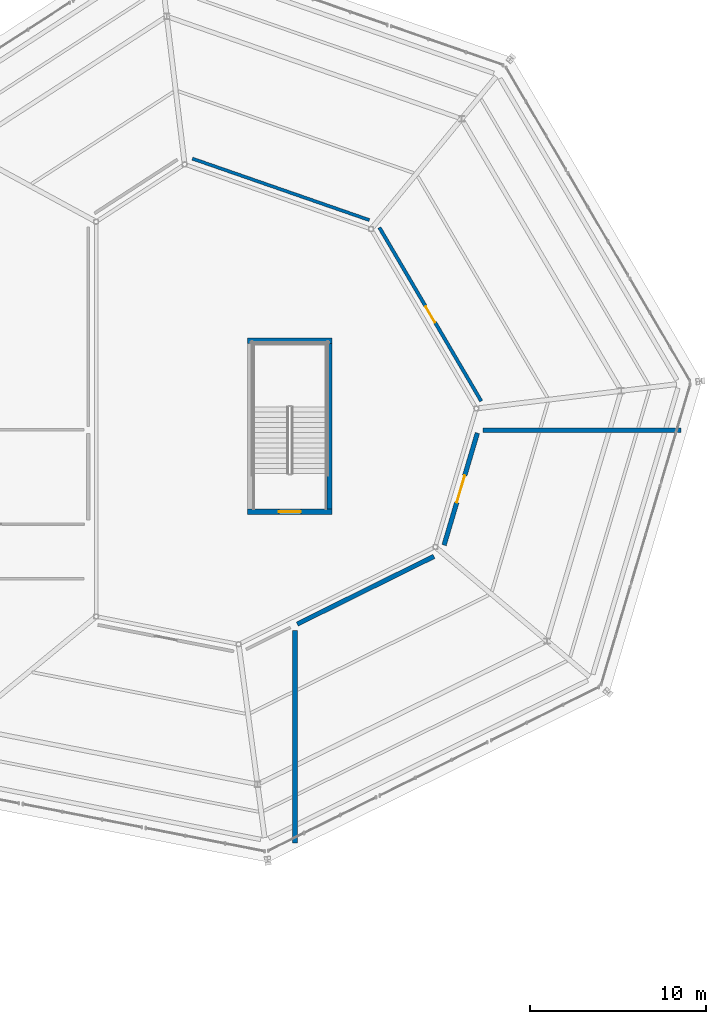
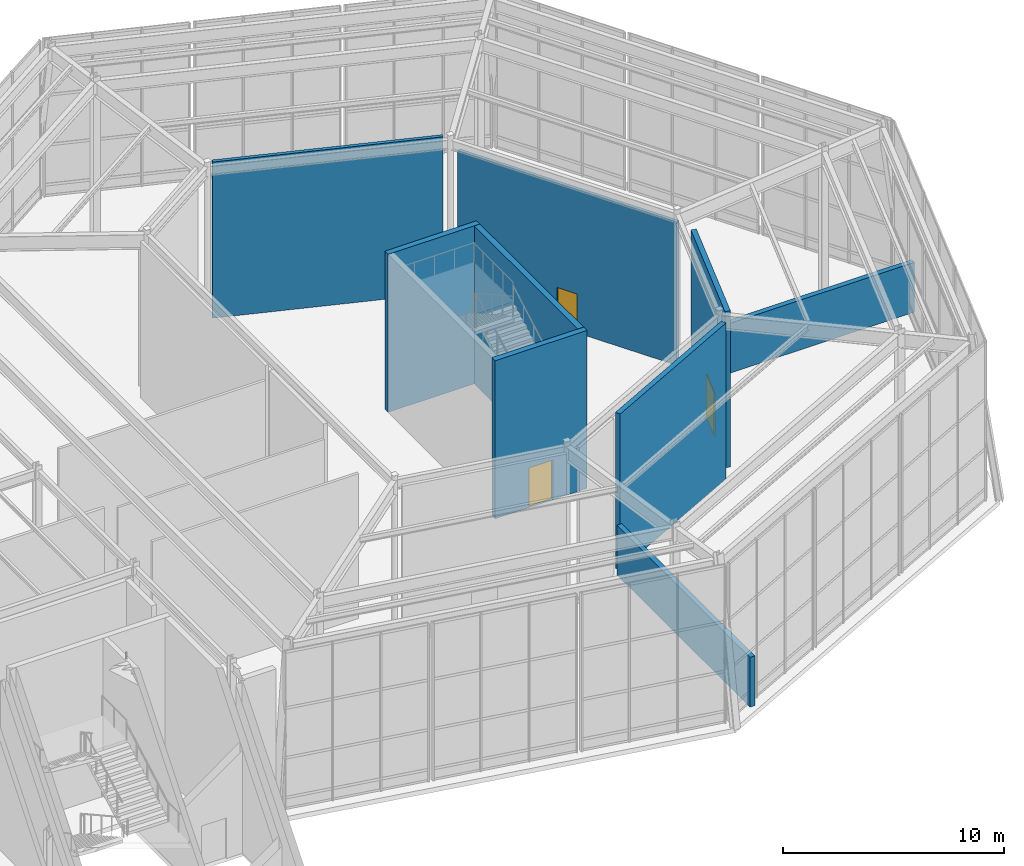
# One storey, part 40 of 48: 9 walls, 3 doors, 3 openings.
"""IFC4 building model written with IfcOpenShell, lengths in metres."""

from ifc_helpers import new_model, si_unit, direction, frame, frame_2d, origin, place, context, subcontext, project, spatial, rectangle, extrude, material, layer, layer_set, type_object, element, fill, save


model = new_model("IFC4")

# Units and contexts
model_context = context("Model", 3, precision=1e-05, world=origin(), true_north=direction((0.0, 1.0)))
body_context = subcontext(model_context, "Body", "Model", "MODEL_VIEW")
ifc_project = project(units=[si_unit("LENGTHUNIT", "METRE"), si_unit("AREAUNIT", "SQUARE_METRE"), si_unit("VOLUMEUNIT", "CUBIC_METRE"), si_unit("PLANEANGLEUNIT", "RADIAN"), si_unit("MASSUNIT", "GRAM", prefix="KILO")], contexts=[model_context])

# Site, building, storey
site_placement = place(None, origin())
site = spatial("IfcSite", under=ifc_project, at=site_placement, CompositionType="ELEMENT")
building_placement = place(site_placement, origin())
building = spatial("IfcBuilding", under=site, at=building_placement, Name="Sarnbrook Museum", CompositionType="ELEMENT")
storey_placement = place(building_placement, frame((0.0, 0.0, 19.10009765625)))
storey = spatial("IfcBuildingStorey", under=building, at=storey_placement, Name="L04", CompositionType="ELEMENT", Elevation=19.10009765625)

# Wall, opening, door
ifc_material_1 = material(Name="Concrete N50 (AS 3600, f'c = 50 MPa)", Category="concrete")
ifc_layer_1 = layer(ifc_material_1, 0.300048828125)
ifc_layer_set_1 = layer_set([ifc_layer_1], Name="Concrete N50 (AS 3600, f'c = 50 MPa)")
wall_type_1 = type_object("IfcWallType", Name="CoreWall_CWRC", PredefinedType="SHEAR", material=ifc_layer_set_1)
wall_1_placement = place(storey_placement, frame((141.39990234375, 80.35009765625, 0.0), z_axis=(0.0, 0.0, 1.0), x_axis=(1.0, 0.0, 0.0)))
wall_1 = element("IfcWall", 1, at=wall_1_placement, inside=storey, type_object=wall_type_1, Name="Core C7 Shear Wall S L04", PredefinedType="SHEAR", context=body_context, shape_type="SweptSolid", body=[
    extrude(rectangle(XDim=4.800048828125, YDim=0.300048828125, at=frame_2d((2.39990234375, 0.0))), origin(), (0.0, 0.0, 1.0), 8.73486328125),
])
opening_1_placement = place(wall_1_placement, frame((1.77490234375, 0.0, 0.0)))
opening_1 = element("IfcOpeningElement", 2, at=opening_1_placement, cuts=wall_1, Name="Opening D-ST-ST7-L04", PredefinedType="OPENING", context=body_context, shape_type="SweptSolid", body=[
    extrude(rectangle(XDim=1.25, YDim=2.199951171875, at=frame_2d((0.625, 1.10009765625))), frame((0.0, 0.16015625, 0.0), z_axis=(0.0, -1.0, 0.0), x_axis=(1.0, 0.0, 0.0)), (0.0, 0.0, 1.0), 0.320068359375),
])
ifc_material_2 = material(Name="Tasmanian Oak Acoustic Timber", Category="wood")
door_type_1 = type_object("IfcDoorType", Name="FireDoor_FD120", OperationType="NOTDEFINED", PredefinedType="DOOR", material=ifc_material_2)
door_1_placement = place(opening_1_placement, origin())
door_1 = element("IfcDoor", 3, at=door_1_placement, inside=storey, type_object=door_type_1, Name="Exit Stair ST7 Fire Door L04", OperationType="SINGLE_SWING_RIGHT", OverallHeight=2.199951171875, OverallWidth=1.25, PredefinedType="DOOR", context=body_context, shape_type="SweptSolid", body=[
    extrude(rectangle(XDim=1.25, YDim=2.199951171875, at=frame_2d((0.625, 1.10009765625))), frame((0.0, 0.02490234375, 0.0), z_axis=(0.0, -1.0, 0.0), x_axis=(1.0, 0.0, 0.0)), (0.0, 0.0, 1.0), 0.050048828125),
])
fill(opening_1, door_1)

# Walls
wall_2_placement = place(storey_placement, frame((146.199951171875, 90.050048828125, 0.0), z_axis=(0.0, 0.0, 1.0), x_axis=(-1.0, 0.0, 0.0)))
element("IfcWall", 4, at=wall_2_placement, inside=storey, type_object=wall_type_1, Name="Core C7 Shear Wall N L04", PredefinedType="SHEAR", context=body_context, shape_type="SweptSolid", body=[
    extrude(rectangle(XDim=4.800048828125, YDim=0.300048828125, at=frame_2d((2.39990234375, 0.0))), origin(), (0.0, 0.0, 1.0), 8.73486328125),
])
wall_3_placement = place(storey_placement, frame((146.050048828125, 80.510009765625, 0.0), z_axis=(0.0, 0.0, 1.0), x_axis=(0.0, 1.0, 0.0)))
element("IfcWall", 5, at=wall_3_placement, inside=storey, type_object=wall_type_1, Name="Core C7 Shear Wall E L04", PredefinedType="SHEAR", context=body_context, shape_type="SweptSolid", body=[
    extrude(rectangle(XDim=9.3798828125, YDim=0.300048828125, at=frame_2d((4.68994140625, 0.0))), origin(), (0.0, 0.0, 1.0), 8.73486328125),
])

# Wall, opening, door
ifc_material_3 = material(Name="Concrete N40 (AS 3600, f'c = 40 MPa)", Category="concrete")
ifc_layer_2 = layer(ifc_material_3, 0.260009765625)
ifc_layer_set_2 = layer_set([ifc_layer_2], Name="Concrete N40 (AS 3600, f'c = 40 MPa)")
wall_type_2 = type_object("IfcWallType", Name="FireWall_FW240", PredefinedType="SOLIDWALL", material=ifc_layer_set_2)
wall_4_placement = place(storey_placement, frame((152.54931640625, 78.45556640625, 0.0), z_axis=(0.0, 0.0, 1.0), x_axis=(0.284585608929, 0.958650630413, 0.0)))
wall_4 = element("IfcWall", 6, at=wall_4_placement, inside=storey, type_object=wall_type_2, Name="Interior Partition Wall L04-0754", PredefinedType="SOLIDWALL", context=body_context, shape_type="SweptSolid", body=[
    extrude(rectangle(XDim=6.6357421875, YDim=0.260009765625, at=frame_2d((3.31787109375, 0.0))), origin(), (0.0, 0.0, 1.0), 8.6298828125),
])
opening_2_placement = place(wall_4_placement, frame((2.517822265625, 0.0, 0.0)))
opening_2 = element("IfcOpeningElement", 7, at=opening_2_placement, cuts=wall_4, Name="Opening D-L04-216", PredefinedType="OPENING", context=body_context, shape_type="SweptSolid", body=[
    extrude(rectangle(XDim=1.60009765625, YDim=2.39990234375, at=frame_2d((0.800048828125, 1.199951171875))), frame((0.0, 0.14013671875, 0.0), z_axis=(0.0, -1.0, 0.0), x_axis=(1.0, 0.0, 0.0)), (0.0, 0.0, 1.0), 0.280029296875),
])
ifc_material_4 = material(Name="Patinated Architectural Bronze")
door_type_2 = type_object("IfcDoorType", Name="FireDoor_FD240", OperationType="NOTDEFINED", PredefinedType="DOOR", material=ifc_material_4)
door_2_placement = place(opening_2_placement, origin())
door_2 = element("IfcDoor", 8, at=door_2_placement, inside=storey, type_object=door_type_2, Name="Archival Rare Specimen Study L04-4 Door D-L04-216", OperationType="DOUBLE_DOOR_SINGLE_SWING", OverallHeight=2.39990234375, OverallWidth=1.60009765625, PredefinedType="DOOR", context=body_context, shape_type="SweptSolid", body=[
    extrude(rectangle(XDim=1.60009765625, YDim=2.39990234375, at=frame_2d((0.800048828125, 1.199951171875))), frame((0.0, 0.02490234375, 0.0), z_axis=(0.0, -1.0, 0.0), x_axis=(1.0, 0.0, 0.0)), (0.0, 0.0, 1.0), 0.050048828125),
])
fill(opening_2, door_2)

# Walls
wall_5_placement = place(storey_placement, frame((144.2158203125, 73.974853515625, 0.0), z_axis=(0.0, 0.0, 1.0), x_axis=(0.896175791865, 0.443699166186, 0.0)))
element("IfcWall", 9, at=wall_5_placement, inside=storey, type_object=wall_type_2, Name="Interior Partition Wall L04-0755", PredefinedType="SOLIDWALL", context=body_context, shape_type="SweptSolid", body=[
    extrude(rectangle(XDim=8.650390625, YDim=0.260009765625, at=frame_2d((4.3251953125, 0.0))), origin(), (0.0, 0.0, 1.0), 8.6298828125),
])
wall_6_placement = place(storey_placement, frame((144.087158203125, 73.61376953125, 0.0), z_axis=(0.0, 0.0, 1.0), x_axis=(0.0, -1.0, 0.0)))
element("IfcWall", 10, at=wall_6_placement, inside=storey, type_object=wall_type_2, Name="Interior Partition Wall L04-0795", PredefinedType="SOLIDWALL", context=body_context, shape_type="SweptSolid", body=[
    extrude(rectangle(XDim=12.059814453125, YDim=0.260009765625, at=frame_2d((6.02978515625, 0.0))), origin(), (0.0, 0.0, 1.0), 2.75),
])
wall_7_placement = place(storey_placement, frame((166.009033203125, 84.970703125, 0.0), z_axis=(0.0, 0.0, 1.0), x_axis=(-1.0, 0.0, 0.0)))
element("IfcWall", 11, at=wall_7_placement, inside=storey, type_object=wall_type_2, Name="Interior Partition Wall L04-0797", PredefinedType="SOLIDWALL", context=body_context, shape_type="SweptSolid", body=[
    extrude(rectangle(XDim=11.25830078125, YDim=0.260009765625, at=frame_2d((5.629150390625, 0.0))), origin(), (0.0, 0.0, 1.0), 2.75),
])
ifc_material_5 = material(Name="Fire-Rated Acoustic Gypsum Plasterboard")
ifc_layer_3 = layer(ifc_material_5, 0.179931640625)
ifc_layer_set_3 = layer_set([ifc_layer_3], Name="Fire-Rated Acoustic Gypsum Plasterboard")
wall_type_3 = type_object("IfcWallType", Name="PartWall_P180", PredefinedType="PARTITIONING", material=ifc_layer_set_3)
wall_8_placement = place(storey_placement, frame((148.309326171875, 96.90576171875, 0.0), z_axis=(0.0, 0.0, 1.0), x_axis=(-0.944672280914, 0.328015672907, 0.0)))
element("IfcWall", 12, at=wall_8_placement, inside=storey, type_object=wall_type_3, Name="Interior Partition Wall L04-0751", PredefinedType="PARTITIONING", context=body_context, shape_type="SweptSolid", body=[
    extrude(rectangle(XDim=10.6337890625, YDim=0.179931640625, at=frame_2d((5.31689453125, 0.0))), origin(), (0.0, 0.0, 1.0), 8.6298828125),
])

# Wall, opening, door
ifc_layer_4 = layer(ifc_material_5, 0.195068359375)
ifc_layer_set_4 = layer_set([ifc_layer_4], Name="Fire-Rated Acoustic Gypsum Plasterboard")
wall_type_4 = type_object("IfcWallType", Name="PartWall_P195", PredefinedType="PARTITIONING", material=ifc_layer_set_4)
wall_9_placement = place(storey_placement, frame((154.657958984375, 86.62890625, 0.0), z_axis=(0.0, 0.0, 1.0), x_axis=(-0.506044714384, 0.862507244633, 0.0)))
wall_9 = element("IfcWall", 13, at=wall_9_placement, inside=storey, type_object=wall_type_4, Name="Interior Partition Wall L04-0750", PredefinedType="PARTITIONING", context=body_context, shape_type="SweptSolid", body=[
    extrude(rectangle(XDim=11.42333984375, YDim=0.195068359375, at=frame_2d((5.711669921875, 0.0))), origin(), (0.0, 0.0, 1.0), 7.909912109375),
])
opening_3_placement = place(wall_9_placement, frame((5.186767578125, 0.0, 0.0)))
opening_3 = element("IfcOpeningElement", 14, at=opening_3_placement, cuts=wall_9, Name="Opening D-L04-215", PredefinedType="OPENING", context=body_context, shape_type="SweptSolid", body=[
    extrude(rectangle(XDim=1.050048828125, YDim=2.14990234375, at=frame_2d((0.52490234375, 1.074951171875))), frame((0.0, 0.107421875, 0.0), z_axis=(0.0, -1.0, 0.0), x_axis=(1.0, 0.0, 0.0)), (0.0, 0.0, 1.0), 0.215087890625),
])
door_type_3 = type_object("IfcDoorType", Name="FireDoor_FD60", OperationType="NOTDEFINED", PredefinedType="DOOR", material=ifc_material_2)
door_3_placement = place(opening_3_placement, origin())
door_3 = element("IfcDoor", 15, at=door_3_placement, inside=storey, type_object=door_type_3, Name="Senior Curators' & Fellows' Offices L04-3 Door D-L04-215", OperationType="SINGLE_SWING_RIGHT", OverallHeight=2.14990234375, OverallWidth=1.050048828125, PredefinedType="DOOR", context=body_context, shape_type="SweptSolid", body=[
    extrude(rectangle(XDim=1.050048828125, YDim=2.14990234375, at=frame_2d((0.52490234375, 1.074951171875))), frame((0.0, 0.02490234375, 0.0), z_axis=(0.0, -1.0, 0.0), x_axis=(1.0, 0.0, 0.0)), (0.0, 0.0, 1.0), 0.050048828125),
])
fill(opening_3, door_3)

save(model, "model.ifc")
